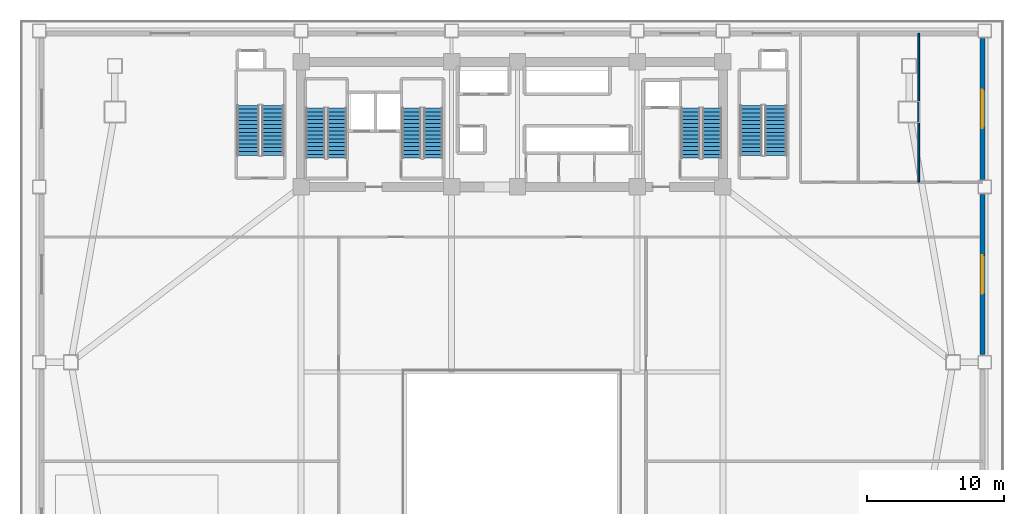
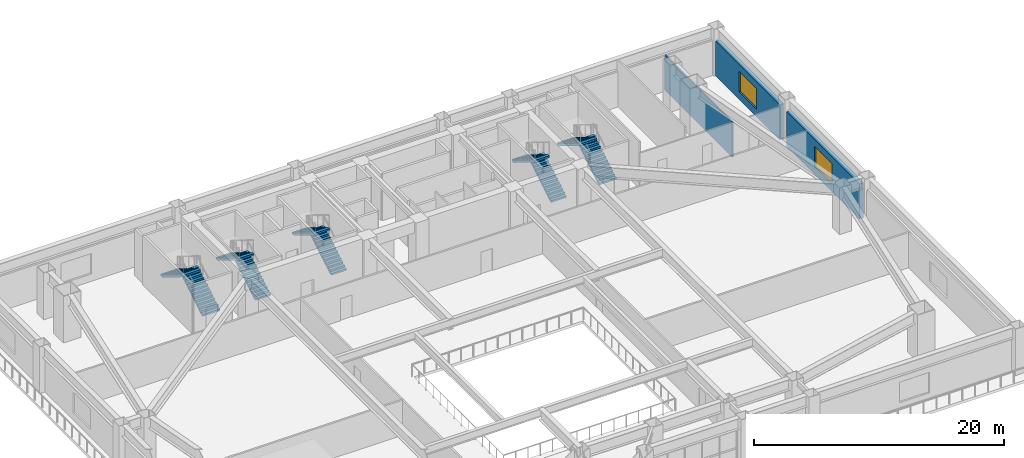
# One storey, part 9 of 14: 10 stair flights, 3 walls, 2 windows, 2 openings, 5 elements without a shape of their own.
"""IFC4 building model written with IfcOpenShell, lengths in metres."""

from ifc_helpers import new_model, si_unit, direction, frame, frame_2d, origin, place, context, subcontext, project, spatial, polyline, rectangle, outline, extrude, source, transform, mapped, material, layer, layer_set, type_object, element, fill, aggregate, save


model = new_model("IFC4")

# Units and contexts
model_context = context("Model", 3, precision=1e-05, world=origin(), true_north=direction((0.0, 1.0)))
body_context = subcontext(model_context, "Body", "Model", "MODEL_VIEW")
ifc_project = project(units=[si_unit("LENGTHUNIT", "METRE"), si_unit("AREAUNIT", "SQUARE_METRE"), si_unit("VOLUMEUNIT", "CUBIC_METRE"), si_unit("PLANEANGLEUNIT", "RADIAN"), si_unit("MASSUNIT", "GRAM", prefix="KILO")], contexts=[model_context])

# Site, building, storey
site_placement = place(None, origin())
site = spatial("IfcSite", under=ifc_project, at=site_placement, CompositionType="ELEMENT")
building_placement = place(site_placement, origin())
building = spatial("IfcBuilding", under=site, at=building_placement, Name="Giltprow Tower", CompositionType="ELEMENT")
storey_placement = place(building_placement, frame((0.0, 0.0, 5.60009765625)))
storey = spatial("IfcBuildingStorey", under=building, at=storey_placement, Name="L02", CompositionType="ELEMENT", Elevation=5.60009765625)

# Wall, opening, window
ifc_material_1 = material(Name="Precast concrete C40", Category="concrete")
ifc_layer_1 = layer(ifc_material_1, 0.360107421875, Name="Precast concrete C40")
ifc_layer_set_1 = layer_set([ifc_layer_1], Name="Precast concrete C40")
wall_type_1 = type_object("IfcWallType", Name="EW-POD-STONE-360", PredefinedType="SOLIDWALL", material=ifc_layer_set_1)
wall_1_placement = place(storey_placement, frame((69.419921875, 25.25, 0.0), z_axis=(0.0, 0.0, 1.0), x_axis=(0.0, 1.0, 0.0)))
wall_1 = element("IfcWall", 1, at=wall_1_placement, inside=storey, type_object=wall_type_1, Name="L02 E Podium Masonry Wall 2", PredefinedType="SOLIDWALL", context=body_context, shape_type="SweptSolid", body=[
    extrude(rectangle(XDim=11.64990234375, YDim=0.360107421875, at=frame_2d((5.824951171875, 0.0))), origin(), (0.0, 0.0, 1.0), 3.419921875),
])
opening_1_placement = place(wall_1_placement, frame((4.425048828125, 0.0, 0.719970703125)))
opening_1 = element("IfcOpeningElement", 2, at=opening_1_placement, cuts=wall_1, Name="Opening WN31", PredefinedType="OPENING", context=body_context, shape_type="SweptSolid", body=[
    extrude(rectangle(XDim=2.800048828125, YDim=2.0, at=frame_2d((1.39990234375, 1.0))), frame((0.0, 0.18994140625, 0.0), z_axis=(0.0, -1.0, 0.0), x_axis=(1.0, 0.0, 0.0)), (0.0, 0.0, 1.0), 0.380126953125),
])
ifc_material_2 = material(Name="Insulated glass", Category="glass")
window_type = type_object("IfcWindowType", Name="WN-POD-2800x2000", PartitioningType="SINGLE_PANEL", PredefinedType="WINDOW", material=ifc_material_2)
shared_shape = source(origin(), body_context, "Body", "SweptSolid", [
    extrude(rectangle(XDim=2.800048828125, YDim=2.0, at=frame_2d((1.39990234375, 1.0))), frame((0.0, 0.030029296875, 0.0), z_axis=(0.0, -1.0, 0.0), x_axis=(1.0, 0.0, 0.0)), (0.0, 0.0, 1.0), 0.06005859375),
])
window_1_placement = place(opening_1_placement, origin())
window_1 = element("IfcWindow", 3, at=window_1_placement, inside=storey, type_object=window_type, Name="L02 Podium E Window 2", OverallHeight=2.0, OverallWidth=2.800048828125, PartitioningType="SINGLE_PANEL", PredefinedType="WINDOW", context=body_context, shape_type="MappedRepresentation", body=[
    mapped(shared_shape, transform((0.0, 0.0, 0.0), x_axis=(1.0, 0.0, 0.0), y_axis=(0.0, 1.0, 0.0), z_axis=(0.0, 0.0, 1.0), scale=1.0)),
])
fill(opening_1, window_1)

wall_2_placement = place(storey_placement, frame((69.419921875, 38.0, 0.0), z_axis=(0.0, 0.0, 1.0), x_axis=(0.0, 1.0, 0.0)))
wall_2 = element("IfcWall", 4, at=wall_2_placement, inside=storey, type_object=wall_type_1, Name="L02 E Podium Masonry Wall 3", PredefinedType="SOLIDWALL", context=body_context, shape_type="SweptSolid", body=[
    extrude(rectangle(XDim=10.25, YDim=0.360107421875, at=frame_2d((5.125, 0.0))), origin(), (0.0, 0.0, 1.0), 3.419921875),
])
opening_2_placement = place(wall_2_placement, frame((3.72509765625, 0.0, 0.719970703125)))
opening_2 = element("IfcOpeningElement", 5, at=opening_2_placement, cuts=wall_2, Name="Opening WN31", PredefinedType="OPENING", context=body_context, shape_type="SweptSolid", body=[
    extrude(rectangle(XDim=2.800048828125, YDim=2.0, at=frame_2d((1.39990234375, 1.0))), frame((0.0, 0.18994140625, 0.0), z_axis=(0.0, -1.0, 0.0), x_axis=(1.0, 0.0, 0.0)), (0.0, 0.0, 1.0), 0.380126953125),
])
window_2_placement = place(opening_2_placement, origin())
window_2 = element("IfcWindow", 6, at=window_2_placement, inside=storey, type_object=window_type, Name="L02 Podium E Window 3", OverallHeight=2.0, OverallWidth=2.800048828125, PartitioningType="SINGLE_PANEL", PredefinedType="WINDOW", context=body_context, shape_type="MappedRepresentation", body=[
    mapped(shared_shape, transform((0.0, 0.0, 0.0), x_axis=(1.0, 0.0, 0.0), y_axis=(0.0, 1.0, 0.0), z_axis=(0.0, 0.0, 1.0), scale=1.0)),
])
fill(opening_2, window_2)

# Wall
ifc_material_3 = material(Name="Concrete C30", Category="concrete")
ifc_layer_2 = layer(ifc_material_3, 0.1298828125, Name="Concrete C30")
ifc_layer_set_2 = layer_set([ifc_layer_2], Name="Concrete C30")
wall_type_2 = type_object("IfcWallType", Name="IW-WET-130", PredefinedType="PARTITIONING", material=ifc_layer_set_2)
wall_3_placement = place(storey_placement, frame((64.800048828125, 37.800048828125, 0.0), z_axis=(0.0, 0.0, 1.0), x_axis=(0.0, 1.0, 0.0)))
element("IfcWall", 7, at=wall_3_placement, inside=storey, type_object=wall_type_2, Name="L02 Washroom Divider 2", PredefinedType="PARTITIONING", context=body_context, shape_type="SweptSolid", body=[
    extrude(rectangle(XDim=10.820068359375, YDim=0.1298828125, at=frame_2d((5.41015625, 0.0))), origin(), (0.0, 0.0, 1.0), 3.4248046875),
])

# Stair, stair flights
ifc_material_4 = material(Name="Concrete C40", Category="concrete")
stair_type_1 = type_object("IfcStairType", Name="STR-ST-1", PredefinedType="HALF_TURN_STAIR", material=ifc_material_4)
stair_1_placement = place(storey_placement, origin())
stair_1 = element("IfcStair", 8, at=stair_1_placement, inside=storey, type_object=stair_type_1, Name="L02 Core Exit Stair ST-1", PredefinedType="HALF_TURN_STAIR")
stair_flight_type_1 = type_object("IfcStairFlightType", Name="SFL-ST-1", PredefinedType="STRAIGHT", material=ifc_material_4)
stair_flight_1_placement = place(storey_placement, frame((22.4599609375, 39.550048828125, 0.0), z_axis=(0.0, 0.0, 1.0), x_axis=(0.0, 1.0, 0.0)))
stair_flight_1 = element("IfcStairFlight", 9, at=stair_flight_1_placement, type_object=stair_flight_type_1, Name="ST-1 flight 1", NumberOfRisers=14, NumberOfTreads=13, PredefinedType="STRAIGHT", RiserHeight=0.171428571, TreadLength=0.28, context=body_context, shape_type="SweptSolid", body=[
    extrude(outline(polyline([(0.0, 0.0), (0.0, 0.17138671875), (0.280029296875, 0.17138671875), (0.280029296875, 0.3427734375), (0.56005859375, 0.3427734375), (0.56005859375, 0.514404296875), (0.840087890625, 0.514404296875), (0.840087890625, 0.685791015625), (1.1201171875, 0.685791015625), (1.1201171875, 0.857177734375), (1.39990234375, 0.857177734375), (1.39990234375, 1.028564453125), (1.679931640625, 1.028564453125), (1.679931640625, 1.199951171875), (1.9599609375, 1.199951171875), (1.9599609375, 1.371337890625), (2.239990234375, 1.371337890625), (2.239990234375, 1.54296875), (2.52001953125, 1.54296875), (2.52001953125, 1.71435546875), (2.800048828125, 1.71435546875), (2.800048828125, 1.8857421875), (3.080078125, 1.8857421875), (3.080078125, 2.05712890625), (3.360107421875, 2.05712890625), (3.360107421875, 2.228515625), (3.639892578125, 2.228515625), (3.639892578125, 2.39990234375), (3.639892578125, 2.052734375), (0.287109375, 0.0), (0.0, 0.0)])), frame((0.0, 0.699951171875, 0.0), z_axis=(0.0, -1.0, 0.0), x_axis=(1.0, 0.0, 0.0)), (0.0, 0.0, 1.0), 1.39990234375),
])
stair_flight_2_placement = place(storey_placement, frame((20.89990234375, 43.18994140625, 2.39990234375), z_axis=(0.0, 0.0, 1.0), x_axis=(0.0, -1.0, 0.0)))
stair_flight_2 = element("IfcStairFlight", 10, at=stair_flight_2_placement, type_object=stair_flight_type_1, Name="ST-1 flight 2", NumberOfRisers=14, NumberOfTreads=13, PredefinedType="STRAIGHT", RiserHeight=0.171428571, TreadLength=0.28, context=body_context, shape_type="SweptSolid", body=[
    extrude(outline(polyline([(0.0, 0.0), (0.0, 0.17138671875), (0.280029296875, 0.17138671875), (0.280029296875, 0.3427734375), (0.56005859375, 0.3427734375), (0.56005859375, 0.514404296875), (0.840087890625, 0.514404296875), (0.840087890625, 0.685791015625), (1.1201171875, 0.685791015625), (1.1201171875, 0.857177734375), (1.39990234375, 0.857177734375), (1.39990234375, 1.028564453125), (1.679931640625, 1.028564453125), (1.679931640625, 1.199951171875), (1.9599609375, 1.199951171875), (1.9599609375, 1.371337890625), (2.239990234375, 1.371337890625), (2.239990234375, 1.54296875), (2.52001953125, 1.54296875), (2.52001953125, 1.71435546875), (2.800048828125, 1.71435546875), (2.800048828125, 1.8857421875), (3.080078125, 1.8857421875), (3.080078125, 2.05712890625), (3.360107421875, 2.05712890625), (3.360107421875, 2.228515625), (3.639892578125, 2.228515625), (3.639892578125, 2.39990234375), (3.639892578125, 2.052734375), (0.287109375, 0.0), (0.0, 0.0)])), frame((0.0, 0.699951171875, 0.0), z_axis=(0.0, -1.0, 0.0), x_axis=(1.0, 0.0, 0.0)), (0.0, 0.0, 1.0), 1.39990234375),
])
aggregate(stair_1, [stair_flight_1, stair_flight_2])

stair_type_2 = type_object("IfcStairType", Name="STR-ST-2", PredefinedType="HALF_TURN_STAIR", material=ifc_material_4)
stair_2_placement = place(storey_placement, origin())
stair_2 = element("IfcStair", 11, at=stair_2_placement, inside=storey, type_object=stair_type_2, Name="L02 Core Exit Stair ST-2", PredefinedType="HALF_TURN_STAIR")
stair_flight_type_2 = type_object("IfcStairFlightType", Name="SFL-ST-2", PredefinedType="STRAIGHT", material=ifc_material_4)
stair_flight_3_placement = place(storey_placement, frame((29.4599609375, 39.550048828125, 0.0), z_axis=(0.0, 0.0, 1.0), x_axis=(0.0, 1.0, 0.0)))
stair_flight_3 = element("IfcStairFlight", 12, at=stair_flight_3_placement, type_object=stair_flight_type_2, Name="ST-2 flight 1", NumberOfRisers=14, NumberOfTreads=13, PredefinedType="STRAIGHT", RiserHeight=0.171428571, TreadLength=0.28, context=body_context, shape_type="SweptSolid", body=[
    extrude(outline(polyline([(0.0, 0.0), (0.0, 0.17138671875), (0.280029296875, 0.17138671875), (0.280029296875, 0.3427734375), (0.56005859375, 0.3427734375), (0.56005859375, 0.514404296875), (0.840087890625, 0.514404296875), (0.840087890625, 0.685791015625), (1.1201171875, 0.685791015625), (1.1201171875, 0.857177734375), (1.39990234375, 0.857177734375), (1.39990234375, 1.028564453125), (1.679931640625, 1.028564453125), (1.679931640625, 1.199951171875), (1.9599609375, 1.199951171875), (1.9599609375, 1.371337890625), (2.239990234375, 1.371337890625), (2.239990234375, 1.54296875), (2.52001953125, 1.54296875), (2.52001953125, 1.71435546875), (2.800048828125, 1.71435546875), (2.800048828125, 1.8857421875), (3.080078125, 1.8857421875), (3.080078125, 2.05712890625), (3.360107421875, 2.05712890625), (3.360107421875, 2.228515625), (3.639892578125, 2.228515625), (3.639892578125, 2.39990234375), (3.639892578125, 2.052734375), (0.287109375, 0.0), (0.0, 0.0)])), frame((0.0, 0.699951171875, 0.0), z_axis=(0.0, -1.0, 0.0), x_axis=(1.0, 0.0, 0.0)), (0.0, 0.0, 1.0), 1.39990234375),
])
stair_flight_4_placement = place(storey_placement, frame((27.89990234375, 43.18994140625, 2.39990234375), z_axis=(0.0, 0.0, 1.0), x_axis=(0.0, -1.0, 0.0)))
stair_flight_4 = element("IfcStairFlight", 13, at=stair_flight_4_placement, type_object=stair_flight_type_2, Name="ST-2 flight 2", NumberOfRisers=14, NumberOfTreads=13, PredefinedType="STRAIGHT", RiserHeight=0.171428571, TreadLength=0.28, context=body_context, shape_type="SweptSolid", body=[
    extrude(outline(polyline([(0.0, 0.0), (0.0, 0.17138671875), (0.280029296875, 0.17138671875), (0.280029296875, 0.3427734375), (0.56005859375, 0.3427734375), (0.56005859375, 0.514404296875), (0.840087890625, 0.514404296875), (0.840087890625, 0.685791015625), (1.1201171875, 0.685791015625), (1.1201171875, 0.857177734375), (1.39990234375, 0.857177734375), (1.39990234375, 1.028564453125), (1.679931640625, 1.028564453125), (1.679931640625, 1.199951171875), (1.9599609375, 1.199951171875), (1.9599609375, 1.371337890625), (2.239990234375, 1.371337890625), (2.239990234375, 1.54296875), (2.52001953125, 1.54296875), (2.52001953125, 1.71435546875), (2.800048828125, 1.71435546875), (2.800048828125, 1.8857421875), (3.080078125, 1.8857421875), (3.080078125, 2.05712890625), (3.360107421875, 2.05712890625), (3.360107421875, 2.228515625), (3.639892578125, 2.228515625), (3.639892578125, 2.39990234375), (3.639892578125, 2.052734375), (0.287109375, 0.0), (0.0, 0.0)])), frame((0.0, 0.699951171875, 0.0), z_axis=(0.0, -1.0, 0.0), x_axis=(1.0, 0.0, 0.0)), (0.0, 0.0, 1.0), 1.39990234375),
])
aggregate(stair_2, [stair_flight_3, stair_flight_4])

stair_type_3 = type_object("IfcStairType", Name="STR-ST-3", PredefinedType="HALF_TURN_STAIR", material=ifc_material_4)
stair_3_placement = place(storey_placement, origin())
stair_3 = element("IfcStair", 14, at=stair_3_placement, inside=storey, type_object=stair_type_3, Name="L02 Core Exit Stair ST-3", PredefinedType="HALF_TURN_STAIR")
stair_flight_type_3 = type_object("IfcStairFlightType", Name="SFL-ST-3", PredefinedType="STRAIGHT", material=ifc_material_4)
stair_flight_5_placement = place(storey_placement, frame((49.760009765625, 39.550048828125, 0.0), z_axis=(0.0, 0.0, 1.0), x_axis=(0.0, 1.0, 0.0)))
stair_flight_5 = element("IfcStairFlight", 15, at=stair_flight_5_placement, type_object=stair_flight_type_3, Name="ST-3 flight 1", NumberOfRisers=14, NumberOfTreads=13, PredefinedType="STRAIGHT", RiserHeight=0.171428571, TreadLength=0.28, context=body_context, shape_type="SweptSolid", body=[
    extrude(outline(polyline([(0.0, 0.0), (0.0, 0.17138671875), (0.280029296875, 0.17138671875), (0.280029296875, 0.3427734375), (0.56005859375, 0.3427734375), (0.56005859375, 0.514404296875), (0.840087890625, 0.514404296875), (0.840087890625, 0.685791015625), (1.1201171875, 0.685791015625), (1.1201171875, 0.857177734375), (1.39990234375, 0.857177734375), (1.39990234375, 1.028564453125), (1.679931640625, 1.028564453125), (1.679931640625, 1.199951171875), (1.9599609375, 1.199951171875), (1.9599609375, 1.371337890625), (2.239990234375, 1.371337890625), (2.239990234375, 1.54296875), (2.52001953125, 1.54296875), (2.52001953125, 1.71435546875), (2.800048828125, 1.71435546875), (2.800048828125, 1.8857421875), (3.080078125, 1.8857421875), (3.080078125, 2.05712890625), (3.360107421875, 2.05712890625), (3.360107421875, 2.228515625), (3.639892578125, 2.228515625), (3.639892578125, 2.39990234375), (3.639892578125, 2.052734375), (0.287109375, 0.0), (0.0, 0.0)])), frame((0.0, 0.699951171875, 0.0), z_axis=(0.0, -1.0, 0.0), x_axis=(1.0, 0.0, 0.0)), (0.0, 0.0, 1.0), 1.39990234375),
])
stair_flight_6_placement = place(storey_placement, frame((48.199951171875, 43.18994140625, 2.39990234375), z_axis=(0.0, 0.0, 1.0), x_axis=(0.0, -1.0, 0.0)))
stair_flight_6 = element("IfcStairFlight", 16, at=stair_flight_6_placement, type_object=stair_flight_type_3, Name="ST-3 flight 2", NumberOfRisers=14, NumberOfTreads=13, PredefinedType="STRAIGHT", RiserHeight=0.171428571, TreadLength=0.28, context=body_context, shape_type="SweptSolid", body=[
    extrude(outline(polyline([(0.0, 0.0), (0.0, 0.17138671875), (0.280029296875, 0.17138671875), (0.280029296875, 0.3427734375), (0.56005859375, 0.3427734375), (0.56005859375, 0.514404296875), (0.840087890625, 0.514404296875), (0.840087890625, 0.685791015625), (1.1201171875, 0.685791015625), (1.1201171875, 0.857177734375), (1.39990234375, 0.857177734375), (1.39990234375, 1.028564453125), (1.679931640625, 1.028564453125), (1.679931640625, 1.199951171875), (1.9599609375, 1.199951171875), (1.9599609375, 1.371337890625), (2.239990234375, 1.371337890625), (2.239990234375, 1.54296875), (2.52001953125, 1.54296875), (2.52001953125, 1.71435546875), (2.800048828125, 1.71435546875), (2.800048828125, 1.8857421875), (3.080078125, 1.8857421875), (3.080078125, 2.05712890625), (3.360107421875, 2.05712890625), (3.360107421875, 2.228515625), (3.639892578125, 2.228515625), (3.639892578125, 2.39990234375), (3.639892578125, 2.052734375), (0.287109375, 0.0), (0.0, 0.0)])), frame((0.0, 0.699951171875, 0.0), z_axis=(0.0, -1.0, 0.0), x_axis=(1.0, 0.0, 0.0)), (0.0, 0.0, 1.0), 1.39990234375),
])
aggregate(stair_3, [stair_flight_5, stair_flight_6])

stair_type_4 = type_object("IfcStairType", Name="STR-ST-P1", PredefinedType="HALF_TURN_STAIR", material=ifc_material_4)
stair_4_placement = place(storey_placement, origin())
stair_4 = element("IfcStair", 17, at=stair_4_placement, inside=storey, type_object=stair_type_4, Name="L02 Podium Exit Stair ST-P1", PredefinedType="HALF_TURN_STAIR")
stair_flight_type_4 = type_object("IfcStairFlightType", Name="SFL-ST-P1", PredefinedType="STRAIGHT", material=ifc_material_4)
stair_flight_7_placement = place(storey_placement, frame((17.800048828125, 39.75, 0.0), z_axis=(0.0, 0.0, 1.0), x_axis=(0.0, 1.0, 0.0)))
stair_flight_7 = element("IfcStairFlight", 18, at=stair_flight_7_placement, type_object=stair_flight_type_4, Name="ST-P1 flight 1", NumberOfRisers=14, NumberOfTreads=13, PredefinedType="STRAIGHT", RiserHeight=0.171428571, TreadLength=0.28, context=body_context, shape_type="SweptSolid", body=[
    extrude(outline(polyline([(0.0, 0.0), (0.0, 0.17138671875), (0.280029296875, 0.17138671875), (0.280029296875, 0.3427734375), (0.56005859375, 0.3427734375), (0.56005859375, 0.514404296875), (0.840087890625, 0.514404296875), (0.840087890625, 0.685791015625), (1.1201171875, 0.685791015625), (1.1201171875, 0.857177734375), (1.39990234375, 0.857177734375), (1.39990234375, 1.028564453125), (1.679931640625, 1.028564453125), (1.679931640625, 1.199951171875), (1.9599609375, 1.199951171875), (1.9599609375, 1.371337890625), (2.239990234375, 1.371337890625), (2.239990234375, 1.54296875), (2.52001953125, 1.54296875), (2.52001953125, 1.71435546875), (2.800048828125, 1.71435546875), (2.800048828125, 1.8857421875), (3.080078125, 1.8857421875), (3.080078125, 2.05712890625), (3.360107421875, 2.05712890625), (3.360107421875, 2.228515625), (3.639892578125, 2.228515625), (3.639892578125, 2.39990234375), (3.639892578125, 2.052734375), (0.287109375, 0.0), (0.0, 0.0)])), frame((0.0, 0.800048828125, 0.0), z_axis=(0.0, -1.0, 0.0), x_axis=(1.0, 0.0, 0.0)), (0.0, 0.0, 1.0), 1.60009765625),
])
stair_flight_8_placement = place(storey_placement, frame((16.0, 43.389892578125, 2.39990234375), z_axis=(0.0, 0.0, 1.0), x_axis=(0.0, -1.0, 0.0)))
stair_flight_8 = element("IfcStairFlight", 19, at=stair_flight_8_placement, type_object=stair_flight_type_4, Name="ST-P1 flight 2", NumberOfRisers=14, NumberOfTreads=13, PredefinedType="STRAIGHT", RiserHeight=0.171428571, TreadLength=0.28, context=body_context, shape_type="SweptSolid", body=[
    extrude(outline(polyline([(0.0, 0.0), (0.0, 0.17138671875), (0.280029296875, 0.17138671875), (0.280029296875, 0.3427734375), (0.56005859375, 0.3427734375), (0.56005859375, 0.514404296875), (0.840087890625, 0.514404296875), (0.840087890625, 0.685791015625), (1.1201171875, 0.685791015625), (1.1201171875, 0.857177734375), (1.39990234375, 0.857177734375), (1.39990234375, 1.028564453125), (1.679931640625, 1.028564453125), (1.679931640625, 1.199951171875), (1.9599609375, 1.199951171875), (1.9599609375, 1.371337890625), (2.239990234375, 1.371337890625), (2.239990234375, 1.54296875), (2.52001953125, 1.54296875), (2.52001953125, 1.71435546875), (2.800048828125, 1.71435546875), (2.800048828125, 1.8857421875), (3.080078125, 1.8857421875), (3.080078125, 2.05712890625), (3.360107421875, 2.05712890625), (3.360107421875, 2.228515625), (3.639892578125, 2.228515625), (3.639892578125, 2.39990234375), (3.639892578125, 2.052734375), (0.287109375, 0.0), (0.0, 0.0)])), frame((0.0, 0.800048828125, 0.0), z_axis=(0.0, -1.0, 0.0), x_axis=(1.0, 0.0, 0.0)), (0.0, 0.0, 1.0), 1.60009765625),
])
aggregate(stair_4, [stair_flight_7, stair_flight_8])

stair_type_5 = type_object("IfcStairType", Name="STR-ST-P2", PredefinedType="HALF_TURN_STAIR", material=ifc_material_4)
stair_5_placement = place(storey_placement, origin())
stair_5 = element("IfcStair", 20, at=stair_5_placement, inside=storey, type_object=stair_type_5, Name="L02 Podium Exit Stair ST-P2", PredefinedType="HALF_TURN_STAIR")
stair_flight_type_5 = type_object("IfcStairFlightType", Name="SFL-ST-P2", PredefinedType="STRAIGHT", material=ifc_material_4)
stair_flight_9_placement = place(storey_placement, frame((54.39990234375, 39.75, 0.0), z_axis=(0.0, 0.0, 1.0), x_axis=(0.0, 1.0, 0.0)))
stair_flight_9 = element("IfcStairFlight", 21, at=stair_flight_9_placement, type_object=stair_flight_type_5, Name="ST-P2 flight 1", NumberOfRisers=14, NumberOfTreads=13, PredefinedType="STRAIGHT", RiserHeight=0.171428571, TreadLength=0.28, context=body_context, shape_type="SweptSolid", body=[
    extrude(outline(polyline([(0.0, 0.0), (0.0, 0.17138671875), (0.280029296875, 0.17138671875), (0.280029296875, 0.3427734375), (0.56005859375, 0.3427734375), (0.56005859375, 0.514404296875), (0.840087890625, 0.514404296875), (0.840087890625, 0.685791015625), (1.1201171875, 0.685791015625), (1.1201171875, 0.857177734375), (1.39990234375, 0.857177734375), (1.39990234375, 1.028564453125), (1.679931640625, 1.028564453125), (1.679931640625, 1.199951171875), (1.9599609375, 1.199951171875), (1.9599609375, 1.371337890625), (2.239990234375, 1.371337890625), (2.239990234375, 1.54296875), (2.52001953125, 1.54296875), (2.52001953125, 1.71435546875), (2.800048828125, 1.71435546875), (2.800048828125, 1.8857421875), (3.080078125, 1.8857421875), (3.080078125, 2.05712890625), (3.360107421875, 2.05712890625), (3.360107421875, 2.228515625), (3.639892578125, 2.228515625), (3.639892578125, 2.39990234375), (3.639892578125, 2.052734375), (0.287109375, 0.0), (0.0, 0.0)])), frame((0.0, 0.800048828125, 0.0), z_axis=(0.0, -1.0, 0.0), x_axis=(1.0, 0.0, 0.0)), (0.0, 0.0, 1.0), 1.60009765625),
])
stair_flight_10_placement = place(storey_placement, frame((52.60009765625, 43.389892578125, 2.39990234375), z_axis=(0.0, 0.0, 1.0), x_axis=(0.0, -1.0, 0.0)))
stair_flight_10 = element("IfcStairFlight", 22, at=stair_flight_10_placement, type_object=stair_flight_type_5, Name="ST-P2 flight 2", NumberOfRisers=14, NumberOfTreads=13, PredefinedType="STRAIGHT", RiserHeight=0.171428571, TreadLength=0.28, context=body_context, shape_type="SweptSolid", body=[
    extrude(outline(polyline([(0.0, 0.0), (0.0, 0.17138671875), (0.280029296875, 0.17138671875), (0.280029296875, 0.3427734375), (0.56005859375, 0.3427734375), (0.56005859375, 0.514404296875), (0.840087890625, 0.514404296875), (0.840087890625, 0.685791015625), (1.1201171875, 0.685791015625), (1.1201171875, 0.857177734375), (1.39990234375, 0.857177734375), (1.39990234375, 1.028564453125), (1.679931640625, 1.028564453125), (1.679931640625, 1.199951171875), (1.9599609375, 1.199951171875), (1.9599609375, 1.371337890625), (2.239990234375, 1.371337890625), (2.239990234375, 1.54296875), (2.52001953125, 1.54296875), (2.52001953125, 1.71435546875), (2.800048828125, 1.71435546875), (2.800048828125, 1.8857421875), (3.080078125, 1.8857421875), (3.080078125, 2.05712890625), (3.360107421875, 2.05712890625), (3.360107421875, 2.228515625), (3.639892578125, 2.228515625), (3.639892578125, 2.39990234375), (3.639892578125, 2.052734375), (0.287109375, 0.0), (0.0, 0.0)])), frame((0.0, 0.800048828125, 0.0), z_axis=(0.0, -1.0, 0.0), x_axis=(1.0, 0.0, 0.0)), (0.0, 0.0, 1.0), 1.60009765625),
])
aggregate(stair_5, [stair_flight_9, stair_flight_10])

save(model, "model.ifc")
